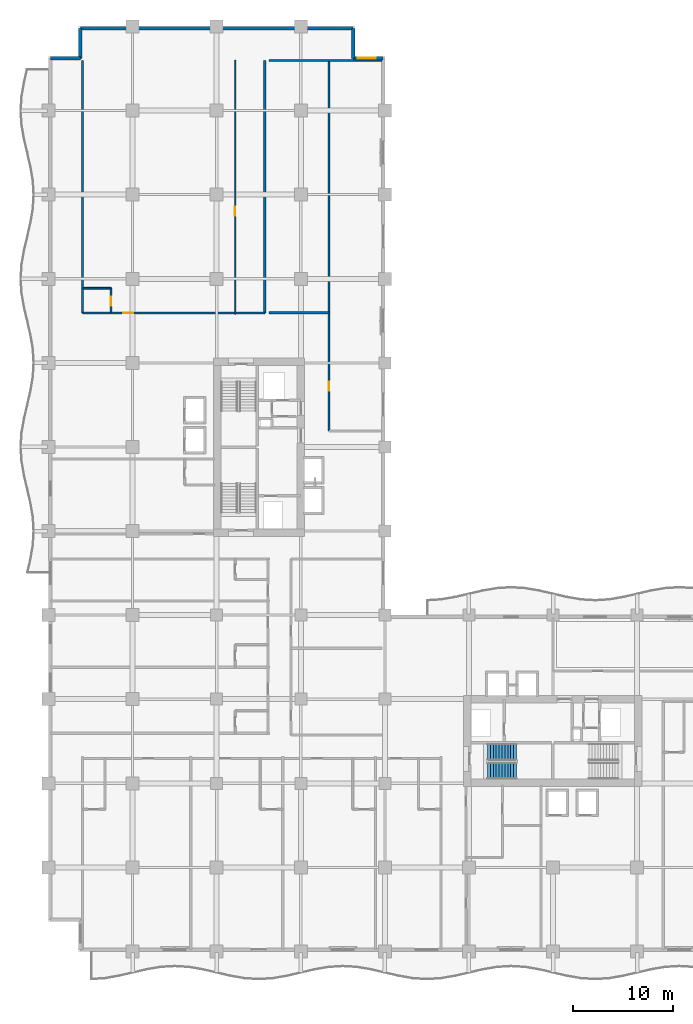
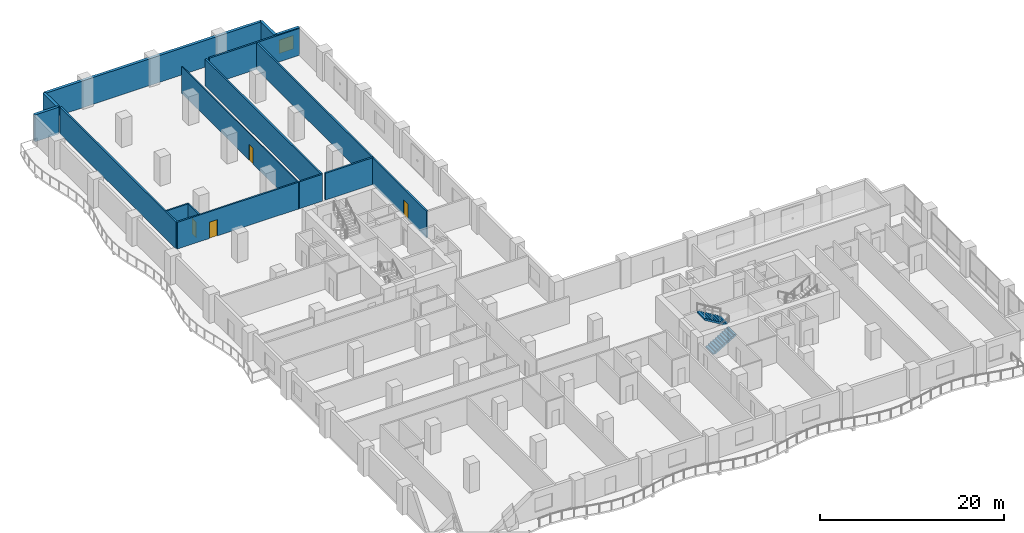
# One storey, part 16 of 23: 14 walls, 4 doors, 2 stair flights, 1 window, 5 openings, 1 element without a shape of its own.
"""IFC4 building model written with IfcOpenShell, lengths in metres."""

from ifc_helpers import new_model, si_unit, direction, frame, frame_2d, origin, place, context, subcontext, project, spatial, polyline, rectangle, outline, extrude, material, layer, layer_set, type_object, element, fill, aggregate, save


model = new_model("IFC4")

# Units and contexts
model_context = context("Model", 3, precision=1e-05, world=origin(), true_north=direction((0.0, 1.0)))
body_context = subcontext(model_context, "Body", "Model", "MODEL_VIEW")
ifc_project = project(units=[si_unit("LENGTHUNIT", "METRE"), si_unit("AREAUNIT", "SQUARE_METRE"), si_unit("VOLUMEUNIT", "CUBIC_METRE"), si_unit("PLANEANGLEUNIT", "RADIAN"), si_unit("MASSUNIT", "GRAM", prefix="KILO")], contexts=[model_context])

# Site, building, storey
site_placement = place(None, origin())
site = spatial("IfcSite", under=ifc_project, at=site_placement, CompositionType="ELEMENT")
building_placement = place(site_placement, origin())
building = spatial("IfcBuilding", under=site, at=building_placement, Name="Koriwani Terraces Tower", CompositionType="ELEMENT")
storey_placement = place(building_placement, frame((0.0, 0.0, 119.0)))
storey = spatial("IfcBuildingStorey", under=building, at=storey_placement, Name="L28", CompositionType="ELEMENT", Elevation=119.0)

# Wall, opening, door
ifc_material_1 = material(Name="Autoclaved Cellular Concrete Blockwork", Category="masonry")
ifc_layer_1 = layer(ifc_material_1, 0.199951171875, Name="Autoclaved Cellular Concrete Blockwork")
ifc_layer_set_1 = layer_set([ifc_layer_1], Name="Autoclaved Cellular Concrete Blockwork")
wall_type_1 = type_object("IfcWallType", Name="WALL_CORRIDOR_200", PredefinedType="PARTITIONING", material=ifc_layer_set_1)
wall_1_placement = place(storey_placement, frame((3.39990234375, 63.800048828125, 0.0), z_axis=(0.0, 0.0, 1.0), x_axis=(1.0, 0.0, 0.0)))
wall_1 = element("IfcWall", 1, at=wall_1_placement, inside=storey, type_object=wall_type_1, Name="L28 Interior Wall WGB-L28-NWTIP-S", PredefinedType="PARTITIONING", context=body_context, shape_type="SweptSolid", body=[
    extrude(rectangle(XDim=18.2001953125, YDim=0.199951171875, at=frame_2d((9.10009765625, 0.0))), origin(), (0.0, 0.0, 1.0), 3.550048828125),
])
opening_1_placement = place(wall_1_placement, frame((4.050048828125, 0.0, 0.0)))
opening_1 = element("IfcOpeningElement", 2, at=opening_1_placement, cuts=wall_1, Name="Opening D-05", PredefinedType="OPENING", context=body_context, shape_type="SweptSolid", body=[
    extrude(rectangle(XDim=1.0, YDim=2.14990234375, at=frame_2d((0.5, 1.074951171875))), frame((0.0, 0.10986328125, 0.0), z_axis=(0.0, -1.0, 0.0), x_axis=(1.0, 0.0, 0.0)), (0.0, 0.0, 1.0), 0.219970703125),
])
ifc_material_2 = material(Name="Architectural Oak Fire Door", Category="wood")
door_type_1 = type_object("IfcDoorType", Name="DOOR_SUITE_ENTRY_1000X2150", OperationType="NOTDEFINED", PredefinedType="DOOR", material=ifc_material_2)
door_1_placement = place(opening_1_placement, origin())
door_1 = element("IfcDoor", 3, at=door_1_placement, inside=storey, type_object=door_type_1, Name="Presidential Suite 28NT Entrance Door", OperationType="SINGLE_SWING_LEFT", OverallHeight=2.14990234375, OverallWidth=1.0, PredefinedType="DOOR", context=body_context, shape_type="SweptSolid", body=[
    extrude(rectangle(XDim=1.0, YDim=2.14990234375, at=frame_2d((0.5, 1.074951171875))), frame((0.0, 0.02490234375, 0.0), z_axis=(0.0, -1.0, 0.0), x_axis=(1.0, 0.0, 0.0)), (0.0, 0.0, 1.0), 0.050048828125),
])
fill(opening_1, door_1)

wall_2_placement = place(storey_placement, frame((28.0, 52.0, 0.0), z_axis=(0.0, 0.0, 1.0), x_axis=(0.0, 1.0, 0.0)))
wall_2 = element("IfcWall", 4, at=wall_2_placement, inside=storey, type_object=wall_type_1, Name="L28 Interior Wall WNWT2-W-L28", PredefinedType="PARTITIONING", context=body_context, shape_type="SweptSolid", body=[
    extrude(rectangle(XDim=37.0, YDim=0.199951171875, at=frame_2d((18.5, 0.0))), origin(), (0.0, 0.0, 1.0), 3.550048828125),
])
opening_2_placement = place(wall_2_placement, frame((4.0, 0.0, 0.0)))
opening_2 = element("IfcOpeningElement", 5, at=opening_2_placement, cuts=wall_2, Name="Opening D-06", PredefinedType="OPENING", context=body_context, shape_type="SweptSolid", body=[
    extrude(rectangle(XDim=0.919921875, YDim=2.10009765625, at=frame_2d((0.4599609375, 1.050048828125))), frame((0.0, 0.10986328125, 0.0), z_axis=(0.0, -1.0, 0.0), x_axis=(1.0, 0.0, 0.0)), (0.0, 0.0, 1.0), 0.219970703125),
])
door_type_2 = type_object("IfcDoorType", Name="DOOR_ROOM_INT_920X2100", OperationType="NOTDEFINED", PredefinedType="DOOR", material=ifc_material_2)
door_2_placement = place(opening_2_placement, origin())
door_2 = element("IfcDoor", 6, at=door_2_placement, inside=storey, type_object=door_type_2, Name="L28 North Court Lounge Door", OperationType="SINGLE_SWING_RIGHT", OverallHeight=2.10009765625, OverallWidth=0.919921875, PredefinedType="DOOR", context=body_context, shape_type="SweptSolid", body=[
    extrude(rectangle(XDim=0.919921875, YDim=2.10009765625, at=frame_2d((0.4599609375, 1.050048828125))), frame((0.0, 0.02490234375, 0.0), z_axis=(0.0, -1.0, 0.0), x_axis=(1.0, 0.0, 0.0)), (0.0, 0.0, 1.0), 0.050048828125),
])
fill(opening_2, door_2)

# Walls
ifc_layer_2 = layer(ifc_material_1, 0.219970703125, Name="Autoclaved Cellular Concrete Blockwork")
ifc_layer_set_2 = layer_set([ifc_layer_2], Name="Autoclaved Cellular Concrete Blockwork")
wall_type_2 = type_object("IfcWallType", Name="WALL_DEMISING_220", PredefinedType="PARTITIONING", material=ifc_layer_set_2)
for number, where, z_axis, x_axis, name in (
    (7, (21.60009765625, 63.800048828125, 0.0), (0.0, 0.0, 1.0), (0.0, 1.0, 0.0), "L28 Interior Wall WGB-L28-NWTIP-E"),
    (8, (3.39990234375, 63.800048828125, 0.0), (0.0, 0.0, 1.0), (0.0, 1.0, 0.0), "L28 Interior Wall WGB-L28-NWTIP-W"),
):
    element("IfcWall", number, at=place(storey_placement, frame(where, z_axis=z_axis, x_axis=x_axis)), inside=storey, type_object=wall_type_2, Name=name, PredefinedType="PARTITIONING", context=body_context, shape_type="SweptSolid", body=[
        extrude(rectangle(XDim=25.199951171875, YDim=0.219970703125, at=frame_2d((12.60009765625, 0.0))), origin(), (0.0, 0.0, 1.0), 3.550048828125),
    ])
wall_3_placement = place(storey_placement, frame((22.0, 89.0, 0.0), z_axis=(0.0, 0.0, 1.0), x_axis=(1.0, 0.0, 0.0)))
element("IfcWall", 9, at=wall_3_placement, inside=storey, type_object=wall_type_2, Name="L28 Interior Wall WNWT2-N-L28", PredefinedType="PARTITIONING", context=body_context, shape_type="SweptSolid", body=[
    extrude(rectangle(XDim=11.300048828125, YDim=0.219970703125, at=frame_2d((5.64990234375, 0.0))), origin(), (0.0, 0.0, 1.0), 3.550048828125),
])
wall_4_placement = place(storey_placement, frame((22.0, 63.800048828125, 0.0), z_axis=(0.0, 0.0, 1.0), x_axis=(1.0, 0.0, 0.0)))
element("IfcWall", 10, at=wall_4_placement, inside=storey, type_object=wall_type_2, Name="L28 Interior Wall WNWT2-WS-L28", PredefinedType="PARTITIONING", context=body_context, shape_type="SweptSolid", body=[
    extrude(rectangle(XDim=6.0, YDim=0.219970703125, at=frame_2d((3.0, 0.0))), origin(), (0.0, 0.0, 1.0), 3.550048828125),
])
ifc_material_3 = material(Name="Concrete C50/60", Category="concrete")
ifc_layer_3 = layer(ifc_material_3, 0.35009765625, Name="Concrete C50/60")
ifc_layer_set_3 = layer_set([ifc_layer_3], Name="Concrete C50/60")
wall_type_3 = type_object("IfcWallType", Name="WALL_EXT_BRUTALIST_350", PredefinedType="STANDARD", material=ifc_layer_set_3)
for number, where, z_axis, x_axis, name in (
    (11, (0.175048828125, 89.22509765625, 0.0), (0.0, 0.0, 1.0), (1.0, 0.0, 0.0), "L28 Fair-Faced Brutalist Exterior Wall (N3)"),
    (12, (3.175048828125, 89.22509765625, 0.0), (0.0, 0.0, 1.0), (0.0, 1.0, 0.0), "L28 Fair-Faced Brutalist Exterior Wall (N4)"),
):
    element("IfcWall", number, at=place(storey_placement, frame(where, z_axis=z_axis, x_axis=x_axis)), inside=storey, type_object=wall_type_3, Name=name, PredefinedType="STANDARD", context=body_context, shape_type="SweptSolid", body=[
        extrude(rectangle(XDim=3.0, YDim=0.35009765625, at=frame_2d((1.5, 0.0))), origin(), (0.0, 0.0, 1.0), 3.550048828125),
    ])
wall_5_placement = place(storey_placement, frame((3.175048828125, 92.22509765625, 0.0), z_axis=(0.0, 0.0, 1.0), x_axis=(1.0, 0.0, 0.0)))
element("IfcWall", 13, at=wall_5_placement, inside=storey, type_object=wall_type_3, Name="L28 Fair-Faced Brutalist Exterior Wall (N_TIP)", PredefinedType="STANDARD", context=body_context, shape_type="SweptSolid", body=[
    extrude(rectangle(XDim=27.25, YDim=0.35009765625, at=frame_2d((13.625, 0.0))), origin(), (0.0, 0.0, 1.0), 3.550048828125),
])
wall_6_placement = place(storey_placement, frame((30.425048828125, 92.22509765625, 0.0), z_axis=(0.0, 0.0, 1.0), x_axis=(0.0, -1.0, 0.0)))
element("IfcWall", 14, at=wall_6_placement, inside=storey, type_object=wall_type_3, Name="L28 Fair-Faced Brutalist Exterior Wall (N6)", PredefinedType="STANDARD", context=body_context, shape_type="SweptSolid", body=[
    extrude(rectangle(XDim=3.0, YDim=0.35009765625, at=frame_2d((1.5, 0.0))), origin(), (0.0, 0.0, 1.0), 3.550048828125),
])

# Wall, opening, window
wall_7_placement = place(storey_placement, frame((30.425048828125, 89.22509765625, 0.0), z_axis=(0.0, 0.0, 1.0), x_axis=(1.0, 0.0, 0.0)))
wall_7 = element("IfcWall", 15, at=wall_7_placement, inside=storey, type_object=wall_type_3, Name="L28 Fair-Faced Brutalist Exterior Wall (N7)", PredefinedType="STANDARD", context=body_context, shape_type="SweptSolid", body=[
    extrude(rectangle(XDim=3.0, YDim=0.35009765625, at=frame_2d((1.5, 0.0))), origin(), (0.0, 0.0, 1.0), 3.550048828125),
])
opening_3_placement = place(wall_7_placement, frame((0.487548828125, 0.0, 0.85009765625)))
opening_3 = element("IfcOpeningElement", 16, at=opening_3_placement, cuts=wall_7, Name="Opening W-04", PredefinedType="OPENING", context=body_context, shape_type="SweptSolid", body=[
    extrude(rectangle(XDim=1.800048828125, YDim=1.800048828125, at=frame_2d((0.89990234375, 0.89990234375))), frame((0.0, 0.18505859375, 0.0), z_axis=(0.0, -1.0, 0.0), x_axis=(1.0, 0.0, 0.0)), (0.0, 0.0, 1.0), 0.3701171875),
])
ifc_material_4 = material(Name="Tempered Laminated Low-E Glass", Category="glass")
window_type = type_object("IfcWindowType", Name="WIN_RES_BED_1800X1800", PartitioningType="DOUBLE_PANEL_VERTICAL", PredefinedType="WINDOW", material=ifc_material_4)
window_placement = place(opening_3_placement, origin())
window = element("IfcWindow", 17, at=window_placement, inside=storey, type_object=window_type, Name="L28 Exterior Window (N7-R51)", OverallHeight=1.800048828125, OverallWidth=1.800048828125, PartitioningType="SINGLE_PANEL", PredefinedType="WINDOW", context=body_context, shape_type="SweptSolid", body=[
    extrude(rectangle(XDim=1.800048828125, YDim=1.800048828125, at=frame_2d((0.89990234375, 0.89990234375))), frame((0.0, 0.030029296875, 0.0), z_axis=(0.0, -1.0, 0.0), x_axis=(1.0, 0.0, 0.0)), (0.0, 0.0, 1.0), 0.06005859375),
])
fill(opening_3, window)

# Wall, opening, door
ifc_material_5 = material(Name="Fire-Rated Acoustic Gypsum Partition", Category="masonry")
ifc_layer_4 = layer(ifc_material_5, 0.125, Name="Fire-Rated Acoustic Gypsum Partition")
ifc_layer_set_4 = layer_set([ifc_layer_4], Name="Fire-Rated Acoustic Gypsum Partition")
wall_type_4 = type_object("IfcWallType", Name="WALL_INT_125", PredefinedType="PARTITIONING", material=ifc_layer_set_4)
wall_8_placement = place(storey_placement, frame((18.64990234375, 63.64990234375, 0.0), z_axis=(0.0, 0.0, 1.0), x_axis=(0.0, 1.0, 0.0)))
wall_8 = element("IfcWall", 18, at=wall_8_placement, inside=storey, type_object=wall_type_4, Name="L28 Interior Wall WGB-L28-NWTIP-BD", PredefinedType="PARTITIONING", context=body_context, shape_type="SweptSolid", body=[
    extrude(rectangle(XDim=25.400146484375, YDim=0.125, at=frame_2d((12.7001953125, 0.0))), origin(), (0.0, 0.0, 1.0), 3.550048828125),
])
opening_4_placement = place(wall_8_placement, frame((9.840087890625, 0.0, 0.0)))
opening_4 = element("IfcOpeningElement", 19, at=opening_4_placement, cuts=wall_8, Name="Opening D-06", PredefinedType="OPENING", context=body_context, shape_type="SweptSolid", body=[
    extrude(rectangle(XDim=0.919921875, YDim=2.10009765625, at=frame_2d((0.4599609375, 1.050048828125))), frame((0.0, 0.072509765625, 0.0), z_axis=(0.0, -1.0, 0.0), x_axis=(1.0, 0.0, 0.0)), (0.0, 0.0, 1.0), 0.14501953125),
])
door_3_placement = place(opening_4_placement, origin())
door_3 = element("IfcDoor", 20, at=door_3_placement, inside=storey, type_object=door_type_2, Name="Presidential Suite 28NT Master Suite Door", OperationType="SINGLE_SWING_LEFT", OverallHeight=2.10009765625, OverallWidth=0.919921875, PredefinedType="DOOR", context=body_context, shape_type="SweptSolid", body=[
    extrude(rectangle(XDim=0.919921875, YDim=2.10009765625, at=frame_2d((0.4599609375, 1.050048828125))), frame((0.0, 0.02490234375, 0.0), z_axis=(0.0, -1.0, 0.0), x_axis=(1.0, 0.0, 0.0)), (0.0, 0.0, 1.0), 0.050048828125),
])
fill(opening_4, door_3)

ifc_layer_5 = layer(ifc_material_5, 0.179931640625, Name="Fire-Rated Acoustic Gypsum Partition")
ifc_layer_set_5 = layer_set([ifc_layer_5], Name="Fire-Rated Acoustic Gypsum Partition")
wall_type_5 = type_object("IfcWallType", Name="WALL_PLUMBING_180", PredefinedType="PLUMBINGWALL", material=ifc_layer_set_5)
wall_9_placement = place(storey_placement, frame((6.25, 63.85009765625, 0.0), z_axis=(0.0, 0.0, 1.0), x_axis=(0.0, 1.0, 0.0)))
wall_9 = element("IfcWall", 21, at=wall_9_placement, inside=storey, type_object=wall_type_5, Name="L28 Interior Wall WGB-L28-NWTIP-SVB", PredefinedType="PLUMBINGWALL", context=body_context, shape_type="SweptSolid", body=[
    extrude(rectangle(XDim=2.39990234375, YDim=0.179931640625, at=frame_2d((1.199951171875, 0.0))), origin(), (0.0, 0.0, 1.0), 3.550048828125),
])
opening_5_placement = place(wall_9_placement, frame((0.64990234375, 0.0, 0.0)))
opening_5 = element("IfcOpeningElement", 22, at=opening_5_placement, cuts=wall_9, Name="Opening D-07", PredefinedType="OPENING", context=body_context, shape_type="SweptSolid", body=[
    extrude(rectangle(XDim=0.89990234375, YDim=2.10009765625, at=frame_2d((0.449951171875, 1.050048828125))), frame((0.0, 0.10009765625, 0.0), z_axis=(0.0, -1.0, 0.0), x_axis=(1.0, 0.0, 0.0)), (0.0, 0.0, 1.0), 0.199951171875),
])
door_type_3 = type_object("IfcDoorType", Name="DOOR_BATH_INT_900X2100", OperationType="NOTDEFINED", PredefinedType="DOOR", material=ifc_material_2)
door_4_placement = place(opening_5_placement, origin())
door_4 = element("IfcDoor", 23, at=door_4_placement, inside=storey, type_object=door_type_3, Name="Presidential Suite 28NT Bathroom Door", OperationType="SINGLE_SWING_RIGHT", OverallHeight=2.10009765625, OverallWidth=0.89990234375, PredefinedType="DOOR", context=body_context, shape_type="SweptSolid", body=[
    extrude(rectangle(XDim=0.89990234375, YDim=2.10009765625, at=frame_2d((0.449951171875, 1.050048828125))), frame((0.0, 0.02490234375, 0.0), z_axis=(0.0, -1.0, 0.0), x_axis=(1.0, 0.0, 0.0)), (0.0, 0.0, 1.0), 0.050048828125),
])
fill(opening_5, door_4)

# Wall
wall_10_placement = place(storey_placement, frame((3.449951171875, 66.25, 0.0), z_axis=(0.0, 0.0, 1.0), x_axis=(1.0, 0.0, 0.0)))
element("IfcWall", 24, at=wall_10_placement, inside=storey, type_object=wall_type_5, Name="L28 Interior Wall WGB-L28-NWTIP-SV2", PredefinedType="PLUMBINGWALL", context=body_context, shape_type="SweptSolid", body=[
    extrude(rectangle(XDim=2.800048828125, YDim=0.179931640625, at=frame_2d((1.39990234375, 0.0))), origin(), (0.0, 0.0, 1.0), 3.550048828125),
])

# Stair, stair flights
ifc_material_6 = material(Name="Concrete C40/50", Category="concrete")
stair_type = type_object("IfcStairType", Name="STAIR_CORE_DOGLEG_1650", PredefinedType="TWO_STRAIGHT_RUN_STAIR", material=ifc_material_6)
stair_placement = place(storey_placement, origin())
stair = element("IfcStair", 25, at=stair_placement, inside=storey, type_object=stair_type, Name="L28 East Core Exit Stair 1", PredefinedType="HALF_TURN_STAIR")
stair_flight_type = type_object("IfcStairFlightType", Name="STAIR_FLIGHT_RC_1650", PredefinedType="STRAIGHT", material=ifc_material_6)
stair_flight_1_placement = place(storey_placement, frame((43.85009765625, 18.074951171875, 0.0), z_axis=(0.0, 0.0, 1.0), x_axis=(1.0, 0.0, 0.0)))
stair_flight_1 = element("IfcStairFlight", 26, at=stair_flight_1_placement, type_object=stair_flight_type, Name="ST-E1 flight 1", NumberOfRisers=11, NumberOfTreads=10, PredefinedType="STRAIGHT", RiserHeight=0.172727273, TreadLength=0.29, context=body_context, shape_type="SweptSolid", body=[
    extrude(outline(polyline([(0.0, 0.0), (0.0, 0.172607421875), (0.2900390625, 0.172607421875), (0.2900390625, 0.345458984375), (0.580078125, 0.345458984375), (0.580078125, 0.51806640625), (0.8701171875, 0.51806640625), (0.8701171875, 0.69091796875), (1.159912109375, 0.69091796875), (1.159912109375, 0.863525390625), (1.449951171875, 0.863525390625), (1.449951171875, 1.036376953125), (1.739990234375, 1.036376953125), (1.739990234375, 1.208984375), (2.030029296875, 1.208984375), (2.030029296875, 1.3818359375), (2.320068359375, 1.3818359375), (2.320068359375, 1.554443359375), (2.610107421875, 1.554443359375), (2.610107421875, 1.727294921875), (2.89990234375, 1.727294921875), (2.89990234375, 1.89990234375), (2.89990234375, 1.517822265625), (0.3515625, 0.0), (0.0, 0.0)])), frame((0.0, 0.824951171875, 0.0), z_axis=(0.0, -1.0, 0.0), x_axis=(1.0, 0.0, 0.0)), (0.0, 0.0, 1.0), 1.64990234375),
])
stair_flight_2_placement = place(storey_placement, frame((46.75, 19.925048828125, 1.89990234375), z_axis=(0.0, 0.0, 1.0), x_axis=(-1.0, 0.0, 0.0)))
stair_flight_2 = element("IfcStairFlight", 27, at=stair_flight_2_placement, type_object=stair_flight_type, Name="ST-E1 flight 2", NumberOfRisers=11, NumberOfTreads=10, PredefinedType="STRAIGHT", RiserHeight=0.172727273, TreadLength=0.29, context=body_context, shape_type="SweptSolid", body=[
    extrude(outline(polyline([(0.0, 0.0), (0.0, 0.172607421875), (0.2900390625, 0.172607421875), (0.2900390625, 0.345458984375), (0.580078125, 0.345458984375), (0.580078125, 0.51806640625), (0.8701171875, 0.51806640625), (0.8701171875, 0.69091796875), (1.159912109375, 0.69091796875), (1.159912109375, 0.863525390625), (1.449951171875, 0.863525390625), (1.449951171875, 1.036376953125), (1.739990234375, 1.036376953125), (1.739990234375, 1.208984375), (2.030029296875, 1.208984375), (2.030029296875, 1.3818359375), (2.320068359375, 1.3818359375), (2.320068359375, 1.554443359375), (2.610107421875, 1.554443359375), (2.610107421875, 1.727294921875), (2.89990234375, 1.727294921875), (2.89990234375, 1.89990234375), (2.89990234375, 1.517822265625), (0.3515625, 0.0), (0.0, 0.0)])), frame((0.0, 0.824951171875, 0.0), z_axis=(0.0, -1.0, 0.0), x_axis=(1.0, 0.0, 0.0)), (0.0, 0.0, 1.0), 1.64990234375),
])
aggregate(stair, [stair_flight_1, stair_flight_2])

save(model, "model.ifc")
